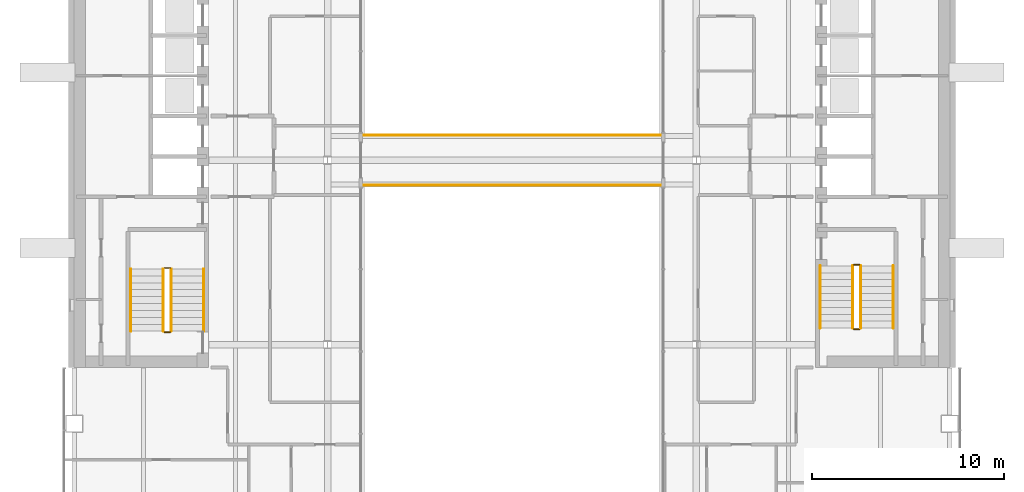
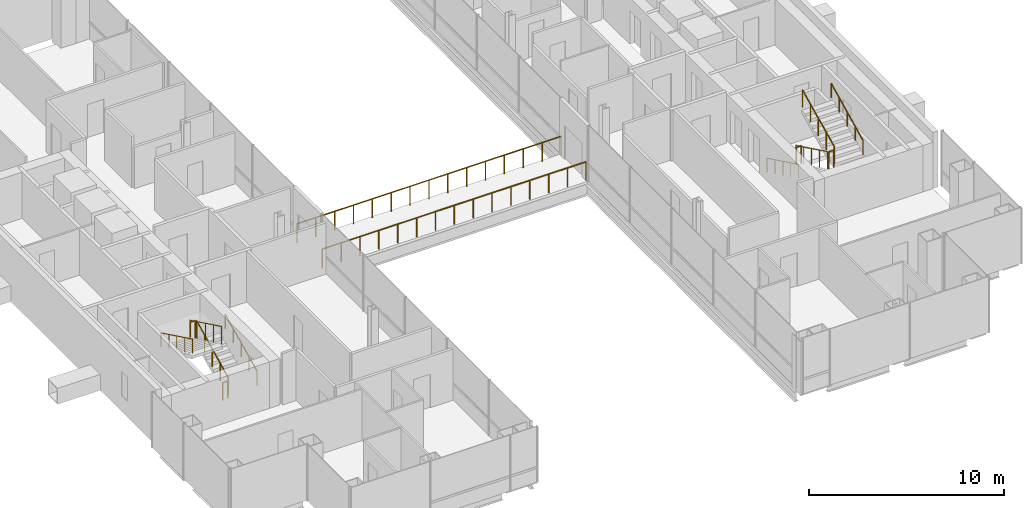
# One storey, part 16 of 17: 14 railings.
"""IFC4 building model written with IfcOpenShell, lengths in metres."""

from ifc_helpers import new_model, si_unit, direction, frame, origin, origin_2d, place, context, subcontext, project, spatial, circle, extrude, material, type_object, element, save


model = new_model("IFC4")

# Units and contexts
model_context = context("Model", 3, precision=1e-05, world=origin(), true_north=direction((0.0, 1.0)))
body_context = subcontext(model_context, "Body", "Model", "MODEL_VIEW")
ifc_project = project(units=[si_unit("LENGTHUNIT", "METRE"), si_unit("AREAUNIT", "SQUARE_METRE"), si_unit("VOLUMEUNIT", "CUBIC_METRE"), si_unit("PLANEANGLEUNIT", "RADIAN"), si_unit("MASSUNIT", "GRAM", prefix="KILO")], contexts=[model_context])

# Site, building, storey
site_placement = place(None, origin())
site = spatial("IfcSite", under=ifc_project, at=site_placement, CompositionType="ELEMENT")
building_placement = place(site_placement, origin())
building = spatial("IfcBuilding", under=site, at=building_placement, Name="Cobrizo Arcos Hotel Tower", CompositionType="ELEMENT")
storey_placement = place(building_placement, frame((0.0, 0.0, 134.5)))
storey = spatial("IfcBuildingStorey", under=building, at=storey_placement, Name="L34", CompositionType="ELEMENT", Elevation=134.5)

# Railings
ifc_material = material(Name="Stainless steel railing", Category="steel")
railing_type_1 = type_object("IfcRailingType", Name="Sky bridge guard 1200", PredefinedType="GUARDRAIL", material=ifc_material)
railing_1_placement = place(storey_placement, frame((-7.800048828125, 1.300048828125, 0.0)))
element("IfcRailing", 1, at=railing_1_placement, inside=storey, type_object=railing_type_1, Name="Sky bridge north guard", PredefinedType="GUARDRAIL", context=body_context, shape_type="SweptSolid", body=[
    extrude(circle(Radius=0.02392578125, at=origin_2d()), frame((0.0, 0.0, 1.17578125), z_axis=(1.0, 0.0, 0.0), x_axis=(0.0, 1.0, 0.0)), (0.0, 0.0, 1.0), 15.60009765625),
    extrude(circle(Radius=0.02099609375, at=origin_2d()), origin(), (0.0, 0.0, 1.0), 1.15185546875),
    extrude(circle(Radius=0.02099609375, at=origin_2d()), frame((1.1142578125, 0.0, 0.0)), (0.0, 0.0, 1.0), 1.15185546875),
    extrude(circle(Radius=0.02099609375, at=origin_2d()), frame((2.228515625, 0.0, 0.0)), (0.0, 0.0, 1.0), 1.15185546875),
    extrude(circle(Radius=0.02099609375, at=origin_2d()), frame((3.3427734375, 0.0, 0.0)), (0.0, 0.0, 1.0), 1.15185546875),
    extrude(circle(Radius=0.02099609375, at=origin_2d()), frame((4.457275390625, 0.0, 0.0)), (0.0, 0.0, 1.0), 1.15185546875),
    extrude(circle(Radius=0.02099609375, at=origin_2d()), frame((5.571533203125, 0.0, 0.0)), (0.0, 0.0, 1.0), 1.15185546875),
    extrude(circle(Radius=0.02099609375, at=origin_2d()), frame((6.685791015625, 0.0, 0.0)), (0.0, 0.0, 1.0), 1.15185546875),
    extrude(circle(Radius=0.02099609375, at=origin_2d()), frame((7.800048828125, 0.0, 0.0)), (0.0, 0.0, 1.0), 1.15185546875),
    extrude(circle(Radius=0.02099609375, at=origin_2d()), frame((8.914306640625, 0.0, 0.0)), (0.0, 0.0, 1.0), 1.15185546875),
    extrude(circle(Radius=0.02099609375, at=origin_2d()), frame((10.028564453125, 0.0, 0.0)), (0.0, 0.0, 1.0), 1.15185546875),
    extrude(circle(Radius=0.02099609375, at=origin_2d()), frame((11.142822265625, 0.0, 0.0)), (0.0, 0.0, 1.0), 1.15185546875),
    extrude(circle(Radius=0.02099609375, at=origin_2d()), frame((12.25732421875, 0.0, 0.0)), (0.0, 0.0, 1.0), 1.15185546875),
    extrude(circle(Radius=0.02099609375, at=origin_2d()), frame((13.37158203125, 0.0, 0.0)), (0.0, 0.0, 1.0), 1.15185546875),
    extrude(circle(Radius=0.02099609375, at=origin_2d()), frame((14.48583984375, 0.0, 0.0)), (0.0, 0.0, 1.0), 1.15185546875),
    extrude(circle(Radius=0.02099609375, at=origin_2d()), frame((15.60009765625, 0.0, 0.0)), (0.0, 0.0, 1.0), 1.15185546875),
])
railing_2_placement = place(storey_placement, frame((-7.800048828125, -1.300048828125, 0.0)))
element("IfcRailing", 2, at=railing_2_placement, inside=storey, type_object=railing_type_1, Name="Sky bridge south guard", PredefinedType="GUARDRAIL", context=body_context, shape_type="SweptSolid", body=[
    extrude(circle(Radius=0.02392578125, at=origin_2d()), frame((0.0, 0.0, 1.17578125), z_axis=(1.0, 0.0, 0.0), x_axis=(0.0, 1.0, 0.0)), (0.0, 0.0, 1.0), 15.60009765625),
    extrude(circle(Radius=0.02099609375, at=origin_2d()), origin(), (0.0, 0.0, 1.0), 1.15185546875),
    extrude(circle(Radius=0.02099609375, at=origin_2d()), frame((1.1142578125, 0.0, 0.0)), (0.0, 0.0, 1.0), 1.15185546875),
    extrude(circle(Radius=0.02099609375, at=origin_2d()), frame((2.228515625, 0.0, 0.0)), (0.0, 0.0, 1.0), 1.15185546875),
    extrude(circle(Radius=0.02099609375, at=origin_2d()), frame((3.3427734375, 0.0, 0.0)), (0.0, 0.0, 1.0), 1.15185546875),
    extrude(circle(Radius=0.02099609375, at=origin_2d()), frame((4.457275390625, 0.0, 0.0)), (0.0, 0.0, 1.0), 1.15185546875),
    extrude(circle(Radius=0.02099609375, at=origin_2d()), frame((5.571533203125, 0.0, 0.0)), (0.0, 0.0, 1.0), 1.15185546875),
    extrude(circle(Radius=0.02099609375, at=origin_2d()), frame((6.685791015625, 0.0, 0.0)), (0.0, 0.0, 1.0), 1.15185546875),
    extrude(circle(Radius=0.02099609375, at=origin_2d()), frame((7.800048828125, 0.0, 0.0)), (0.0, 0.0, 1.0), 1.15185546875),
    extrude(circle(Radius=0.02099609375, at=origin_2d()), frame((8.914306640625, 0.0, 0.0)), (0.0, 0.0, 1.0), 1.15185546875),
    extrude(circle(Radius=0.02099609375, at=origin_2d()), frame((10.028564453125, 0.0, 0.0)), (0.0, 0.0, 1.0), 1.15185546875),
    extrude(circle(Radius=0.02099609375, at=origin_2d()), frame((11.142822265625, 0.0, 0.0)), (0.0, 0.0, 1.0), 1.15185546875),
    extrude(circle(Radius=0.02099609375, at=origin_2d()), frame((12.25732421875, 0.0, 0.0)), (0.0, 0.0, 1.0), 1.15185546875),
    extrude(circle(Radius=0.02099609375, at=origin_2d()), frame((13.37158203125, 0.0, 0.0)), (0.0, 0.0, 1.0), 1.15185546875),
    extrude(circle(Radius=0.02099609375, at=origin_2d()), frame((14.48583984375, 0.0, 0.0)), (0.0, 0.0, 1.0), 1.15185546875),
    extrude(circle(Radius=0.02099609375, at=origin_2d()), frame((15.60009765625, 0.0, 0.0)), (0.0, 0.0, 1.0), 1.15185546875),
])
railing_type_2 = type_object("IfcRailingType", Name="Stair guard 1100", PredefinedType="GUARDRAIL", material=ifc_material)
railing_3_placement = place(storey_placement, frame((-17.75, -8.89990234375, 0.175048828125)))
element("IfcRailing", 3, at=railing_3_placement, inside=storey, type_object=railing_type_2, Name="L34 ST-W stair guard 1", PredefinedType="GUARDRAIL", context=body_context, shape_type="SweptSolid", body=[
    extrude(circle(Radius=0.02392578125, at=origin_2d()), frame((0.0, 0.0, 1.076171875), z_axis=(0.0, 0.899372665325, 0.437182809435), x_axis=(-1.0, 0.0, 0.0)), (0.0, 0.0, 1.0), 3.6025390625),
    extrude(circle(Radius=0.02099609375, at=origin_2d()), origin(), (0.0, 0.0, 1.0), 1.052001953125),
    extrude(circle(Radius=0.02099609375, at=origin_2d()), frame((0.0, 0.81005859375, 0.393798828125)), (0.0, 0.0, 1.0), 1.052001953125),
    extrude(circle(Radius=0.02099609375, at=origin_2d()), frame((0.0, 1.6201171875, 0.78759765625)), (0.0, 0.0, 1.0), 1.052001953125),
    extrude(circle(Radius=0.02099609375, at=origin_2d()), frame((0.0, 2.429931640625, 1.18115234375)), (0.0, 0.0, 1.0), 1.052001953125),
    extrude(circle(Radius=0.02099609375, at=origin_2d()), frame((0.0, 3.239990234375, 1.574951171875)), (0.0, 0.0, 1.0), 1.052001953125),
])
railing_4_placement = place(storey_placement, frame((-17.800048828125, -5.610107421875, 1.75)))
element("IfcRailing", 4, at=railing_4_placement, inside=storey, type_object=railing_type_2, Name="L34 ST-W stair guard 2", PredefinedType="GUARDRAIL", context=body_context, shape_type="SweptSolid", body=[
    extrude(circle(Radius=0.02392578125, at=origin_2d()), frame((0.0, 0.0, 1.076171875), z_axis=(-1.0, 0.0, 0.0), x_axis=(0.0, -1.0, 0.0)), (0.0, 0.0, 1.0), 0.300048828125),
    extrude(circle(Radius=0.02099609375, at=origin_2d()), origin(), (0.0, 0.0, 1.0), 1.052001953125),
    extrude(circle(Radius=0.02099609375, at=origin_2d()), frame((-0.300048828125, 0.0, 0.0)), (0.0, 0.0, 1.0), 1.052001953125),
])
railing_5_placement = place(storey_placement, frame((-18.14990234375, -5.659912109375, 1.925048828125)))
element("IfcRailing", 5, at=railing_5_placement, inside=storey, type_object=railing_type_2, Name="L34 ST-W stair guard 3", PredefinedType="GUARDRAIL", context=body_context, shape_type="SweptSolid", body=[
    extrude(circle(Radius=0.02392578125, at=origin_2d()), frame((0.0, 0.0, 1.076171875), z_axis=(0.0, -0.899372665325, 0.437182809435), x_axis=(1.0, 0.0, 0.0)), (0.0, 0.0, 1.0), 3.6025390625),
    extrude(circle(Radius=0.02099609375, at=origin_2d()), origin(), (0.0, 0.0, 1.0), 1.052001953125),
    extrude(circle(Radius=0.02099609375, at=origin_2d()), frame((0.0, -0.81005859375, 0.393798828125)), (0.0, 0.0, 1.0), 1.052001953125),
    extrude(circle(Radius=0.02099609375, at=origin_2d()), frame((0.0, -1.6201171875, 0.78759765625)), (0.0, 0.0, 1.0), 1.052001953125),
    extrude(circle(Radius=0.02099609375, at=origin_2d()), frame((0.0, -2.429931640625, 1.18115234375)), (0.0, 0.0, 1.0), 1.052001953125),
    extrude(circle(Radius=0.02099609375, at=origin_2d()), frame((0.0, -3.239990234375, 1.574951171875)), (0.0, 0.0, 1.0), 1.052001953125),
])
railing_6_placement = place(storey_placement, frame((-17.800048828125, -8.949951171875, 0.0)))
element("IfcRailing", 6, at=railing_6_placement, inside=storey, type_object=railing_type_2, Name="L34 ST-W stair guard 4", PredefinedType="GUARDRAIL", context=body_context, shape_type="SweptSolid", body=[
    extrude(circle(Radius=0.02392578125, at=origin_2d()), frame((0.0, 0.0, 1.076171875), z_axis=(-1.0, 0.0, 0.0), x_axis=(0.0, -1.0, 0.0)), (0.0, 0.0, 1.0), 0.300048828125),
    extrude(circle(Radius=0.02099609375, at=origin_2d()), origin(), (0.0, 0.0, 1.0), 1.052001953125),
    extrude(circle(Radius=0.02099609375, at=origin_2d()), frame((-0.300048828125, 0.0, 0.0)), (0.0, 0.0, 1.0), 1.052001953125),
])
railing_7_placement = place(storey_placement, frame((17.75, -5.5, 0.175048828125)))
element("IfcRailing", 7, at=railing_7_placement, inside=storey, type_object=railing_type_2, Name="L34 ST-E stair guard 1", PredefinedType="GUARDRAIL", context=body_context, shape_type="SweptSolid", body=[
    extrude(circle(Radius=0.02392578125, at=origin_2d()), frame((0.0, 0.0, 1.076171875), z_axis=(0.0, -0.899372665325, 0.437182809435), x_axis=(1.0, 0.0, 0.0)), (0.0, 0.0, 1.0), 3.6025390625),
    extrude(circle(Radius=0.02099609375, at=origin_2d()), origin(), (0.0, 0.0, 1.0), 1.052001953125),
    extrude(circle(Radius=0.02099609375, at=origin_2d()), frame((0.0, -0.81005859375, 0.393798828125)), (0.0, 0.0, 1.0), 1.052001953125),
    extrude(circle(Radius=0.02099609375, at=origin_2d()), frame((0.0, -1.6201171875, 0.78759765625)), (0.0, 0.0, 1.0), 1.052001953125),
    extrude(circle(Radius=0.02099609375, at=origin_2d()), frame((0.0, -2.429931640625, 1.18115234375)), (0.0, 0.0, 1.0), 1.052001953125),
    extrude(circle(Radius=0.02099609375, at=origin_2d()), frame((0.0, -3.239990234375, 1.574951171875)), (0.0, 0.0, 1.0), 1.052001953125),
])
railing_8_placement = place(storey_placement, frame((17.800048828125, -8.7900390625, 1.75)))
element("IfcRailing", 8, at=railing_8_placement, inside=storey, type_object=railing_type_2, Name="L34 ST-E stair guard 2", PredefinedType="GUARDRAIL", context=body_context, shape_type="SweptSolid", body=[
    extrude(circle(Radius=0.02392578125, at=origin_2d()), frame((0.0, 0.0, 1.076171875), z_axis=(1.0, 0.0, 0.0), x_axis=(0.0, 1.0, 0.0)), (0.0, 0.0, 1.0), 0.300048828125),
    extrude(circle(Radius=0.02099609375, at=origin_2d()), origin(), (0.0, 0.0, 1.0), 1.052001953125),
    extrude(circle(Radius=0.02099609375, at=origin_2d()), frame((0.300048828125, 0.0, 0.0)), (0.0, 0.0, 1.0), 1.052001953125),
])
railing_9_placement = place(storey_placement, frame((18.14990234375, -8.739990234375, 1.925048828125)))
element("IfcRailing", 9, at=railing_9_placement, inside=storey, type_object=railing_type_2, Name="L34 ST-E stair guard 3", PredefinedType="GUARDRAIL", context=body_context, shape_type="SweptSolid", body=[
    extrude(circle(Radius=0.02392578125, at=origin_2d()), frame((0.0, 0.0, 1.076171875), z_axis=(0.0, 0.899372665325, 0.437182809435), x_axis=(-1.0, 0.0, 0.0)), (0.0, 0.0, 1.0), 3.6025390625),
    extrude(circle(Radius=0.02099609375, at=origin_2d()), origin(), (0.0, 0.0, 1.0), 1.052001953125),
    extrude(circle(Radius=0.02099609375, at=origin_2d()), frame((0.0, 0.81005859375, 0.393798828125)), (0.0, 0.0, 1.0), 1.052001953125),
    extrude(circle(Radius=0.02099609375, at=origin_2d()), frame((0.0, 1.6201171875, 0.78759765625)), (0.0, 0.0, 1.0), 1.052001953125),
    extrude(circle(Radius=0.02099609375, at=origin_2d()), frame((0.0, 2.429931640625, 1.18115234375)), (0.0, 0.0, 1.0), 1.052001953125),
    extrude(circle(Radius=0.02099609375, at=origin_2d()), frame((0.0, 3.239990234375, 1.574951171875)), (0.0, 0.0, 1.0), 1.052001953125),
])
railing_10_placement = place(storey_placement, frame((17.800048828125, -5.449951171875, 0.0)))
element("IfcRailing", 10, at=railing_10_placement, inside=storey, type_object=railing_type_2, Name="L34 ST-E stair guard 4", PredefinedType="GUARDRAIL", context=body_context, shape_type="SweptSolid", body=[
    extrude(circle(Radius=0.02392578125, at=origin_2d()), frame((0.0, 0.0, 1.076171875), z_axis=(1.0, 0.0, 0.0), x_axis=(0.0, 1.0, 0.0)), (0.0, 0.0, 1.0), 0.300048828125),
    extrude(circle(Radius=0.02099609375, at=origin_2d()), origin(), (0.0, 0.0, 1.0), 1.052001953125),
    extrude(circle(Radius=0.02099609375, at=origin_2d()), frame((0.300048828125, 0.0, 0.0)), (0.0, 0.0, 1.0), 1.052001953125),
])
railing_type_3 = type_object("IfcRailingType", Name="Stair handrail", PredefinedType="HANDRAIL", material=ifc_material)
railing_11_placement = place(storey_placement, frame((-16.050048828125, -8.89990234375, 0.175048828125)))
element("IfcRailing", 11, at=railing_11_placement, inside=storey, type_object=railing_type_3, Name="L34 ST-W stair handrail 1", PredefinedType="HANDRAIL", context=body_context, shape_type="SweptSolid", body=[
    extrude(circle(Radius=0.02392578125, at=origin_2d()), frame((0.0, 0.0, 0.8759765625), z_axis=(0.0, 0.899372665325, 0.437182809435), x_axis=(-1.0, 0.0, 0.0)), (0.0, 0.0, 1.0), 3.6025390625),
    extrude(circle(Radius=0.02099609375, at=origin_2d()), origin(), (0.0, 0.0, 1.0), 0.851806640625),
    extrude(circle(Radius=0.02099609375, at=origin_2d()), frame((0.0, 0.81005859375, 0.393798828125)), (0.0, 0.0, 1.0), 0.851806640625),
    extrude(circle(Radius=0.02099609375, at=origin_2d()), frame((0.0, 1.6201171875, 0.78759765625)), (0.0, 0.0, 1.0), 0.851806640625),
    extrude(circle(Radius=0.02099609375, at=origin_2d()), frame((0.0, 2.429931640625, 1.18115234375)), (0.0, 0.0, 1.0), 0.851806640625),
    extrude(circle(Radius=0.02099609375, at=origin_2d()), frame((0.0, 3.239990234375, 1.574951171875)), (0.0, 0.0, 1.0), 0.851806640625),
])
for number, where, name in (
    (12, (-19.85009765625, -5.659912109375, 1.925048828125), "L34 ST-W stair handrail 2"),
    (13, (16.050048828125, -5.5, 0.175048828125), "L34 ST-E stair handrail 1"),
):
    element("IfcRailing", number, at=place(storey_placement, frame(where)), inside=storey, type_object=railing_type_3, Name=name, PredefinedType="HANDRAIL", context=body_context, shape_type="SweptSolid", body=[
        extrude(circle(Radius=0.02392578125, at=origin_2d()), frame((0.0, 0.0, 0.8759765625), z_axis=(0.0, -0.899372665325, 0.437182809435), x_axis=(1.0, 0.0, 0.0)), (0.0, 0.0, 1.0), 3.6025390625),
        extrude(circle(Radius=0.02099609375, at=origin_2d()), origin(), (0.0, 0.0, 1.0), 0.851806640625),
        extrude(circle(Radius=0.02099609375, at=origin_2d()), frame((0.0, -0.81005859375, 0.393798828125)), (0.0, 0.0, 1.0), 0.851806640625),
        extrude(circle(Radius=0.02099609375, at=origin_2d()), frame((0.0, -1.6201171875, 0.78759765625)), (0.0, 0.0, 1.0), 0.851806640625),
        extrude(circle(Radius=0.02099609375, at=origin_2d()), frame((0.0, -2.429931640625, 1.18115234375)), (0.0, 0.0, 1.0), 0.851806640625),
        extrude(circle(Radius=0.02099609375, at=origin_2d()), frame((0.0, -3.239990234375, 1.574951171875)), (0.0, 0.0, 1.0), 0.851806640625),
    ])
railing_12_placement = place(storey_placement, frame((19.85009765625, -8.739990234375, 1.925048828125)))
element("IfcRailing", 14, at=railing_12_placement, inside=storey, type_object=railing_type_3, Name="L34 ST-E stair handrail 2", PredefinedType="HANDRAIL", context=body_context, shape_type="SweptSolid", body=[
    extrude(circle(Radius=0.02392578125, at=origin_2d()), frame((0.0, 0.0, 0.8759765625), z_axis=(0.0, 0.899372665325, 0.437182809435), x_axis=(-1.0, 0.0, 0.0)), (0.0, 0.0, 1.0), 3.6025390625),
    extrude(circle(Radius=0.02099609375, at=origin_2d()), origin(), (0.0, 0.0, 1.0), 0.851806640625),
    extrude(circle(Radius=0.02099609375, at=origin_2d()), frame((0.0, 0.81005859375, 0.393798828125)), (0.0, 0.0, 1.0), 0.851806640625),
    extrude(circle(Radius=0.02099609375, at=origin_2d()), frame((0.0, 1.6201171875, 0.78759765625)), (0.0, 0.0, 1.0), 0.851806640625),
    extrude(circle(Radius=0.02099609375, at=origin_2d()), frame((0.0, 2.429931640625, 1.18115234375)), (0.0, 0.0, 1.0), 0.851806640625),
    extrude(circle(Radius=0.02099609375, at=origin_2d()), frame((0.0, 3.239990234375, 1.574951171875)), (0.0, 0.0, 1.0), 0.851806640625),
])

save(model, "model.ifc")
